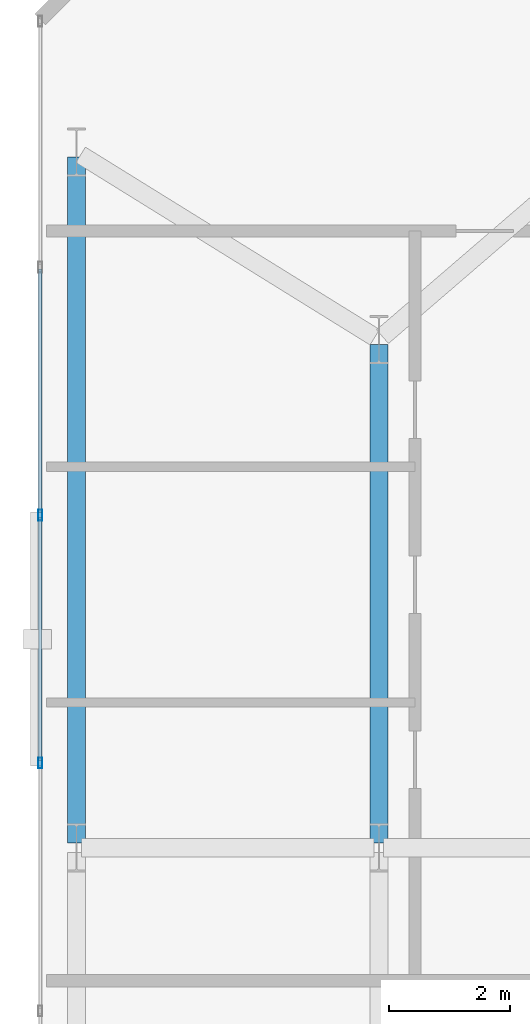
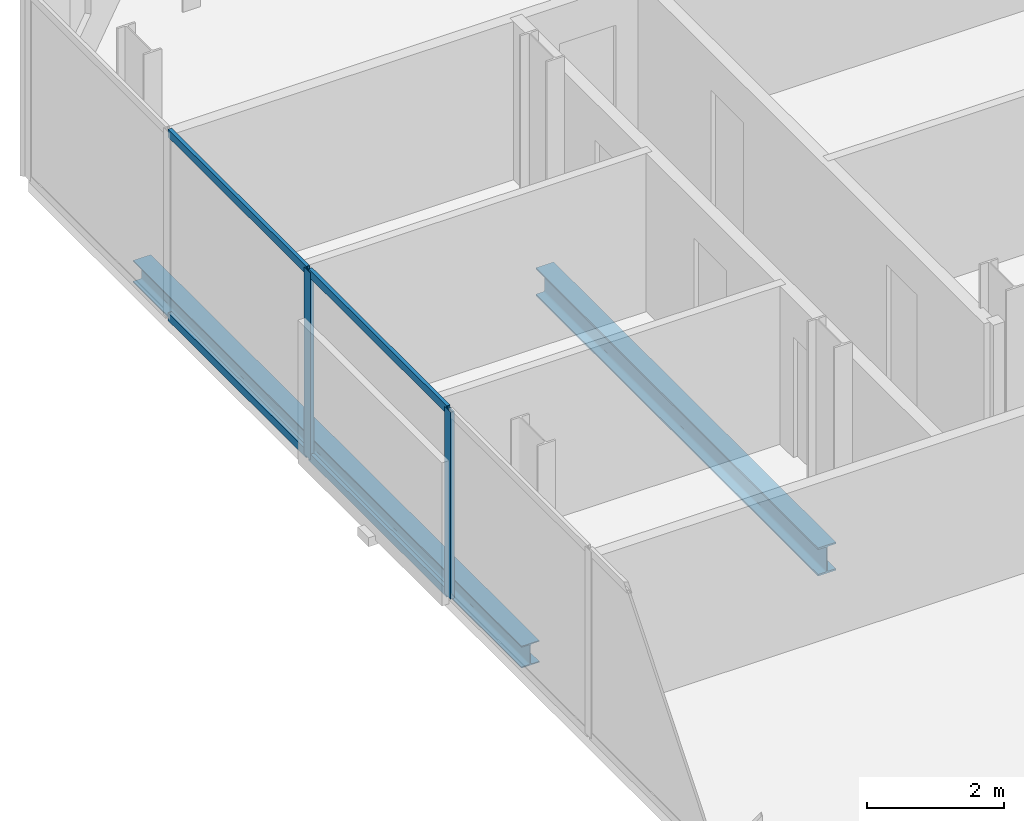
# One storey, part 18 of 33: 6 members, 2 beams, 1 element without a shape of its own.
"""IFC4 building model written with IfcOpenShell, lengths in metres."""

from ifc_helpers import new_model, si_unit, direction, frame, origin, origin_2d, place, context, subcontext, project, spatial, hollow_rectangle, i_section, extrude, material, layer, layer_set, material_profile, profile_set, type_object, element, aggregate, save


model = new_model("IFC4")

# Units and contexts
model_context = context("Model", 3, precision=1e-05, world=origin(), true_north=direction((0.0, 1.0)))
body_context = subcontext(model_context, "Body", "Model", "MODEL_VIEW")
ifc_project = project(units=[si_unit("LENGTHUNIT", "METRE"), si_unit("AREAUNIT", "SQUARE_METRE"), si_unit("VOLUMEUNIT", "CUBIC_METRE"), si_unit("PLANEANGLEUNIT", "RADIAN"), si_unit("MASSUNIT", "GRAM", prefix="KILO")], contexts=[model_context])

# Site, building, storey
site_placement = place(None, origin())
site = spatial("IfcSite", under=ifc_project, at=site_placement, CompositionType="ELEMENT")
building_placement = place(site_placement, origin())
building = spatial("IfcBuilding", under=site, at=building_placement, Name="Catumbela Crestline Tower", CompositionType="ELEMENT")
storey_placement = place(building_placement, frame((0.0, 0.0, 58.2)))
storey = spatial("IfcBuildingStorey", under=building, at=storey_placement, Name="L14", CompositionType="ELEMENT", Elevation=58.2)

# Beam
ifc_material_1 = material(Name="Structural steel S355J2", Category="steel")
ifc_material_profile_1 = material_profile(ifc_material_1, i_section(OverallWidth=0.3, OverallDepth=0.5, WebThickness=0.0145, FlangeThickness=0.028, FilletRadius=0.027, at=origin_2d()), Name="HEB 500")
ifc_profile_set_1 = profile_set([ifc_material_profile_1], Name="Structural steel S355J2")
beam_type_1 = type_object("IfcBeamType", Name="BG-HEB500", PredefinedType="BEAM", material=ifc_profile_set_1)
beam_1_placement = place(storey_placement, frame((5.6, 30.88, -0.51), z_axis=(0.0, 1.0, 0.0), x_axis=(-1.0, 0.0, 0.0)))
element("IfcBeam", 1, at=beam_1_placement, inside=storey, type_object=beam_type_1, Name="L14 Beam BM-L14-SN28", PredefinedType="BEAM", context=body_context, shape_type="SweptSolid", body=[
    extrude(i_section(OverallWidth=0.3, OverallDepth=0.5, WebThickness=0.0145, FlangeThickness=0.028, FilletRadius=0.027, at=origin_2d()), origin(), (0.0, 0.0, 1.0), 8.24),
])

# Curtain wall, members
ifc_material_2 = material(Name="Aluminium alloy AW-6060-T66", Category="aluminium")
ifc_layer = layer(ifc_material_2, 0.18, Name="Aluminium alloy AW-6060-T66")
ifc_layer_set = layer_set([ifc_layer], Name="Aluminium alloy AW-6060-T66")
curtain_wall_type = type_object("IfcCurtainWallType", Name="CWU-Z1", PredefinedType="USERDEFINED", material=ifc_layer_set)
curtain_wall_placement = place(storey_placement, origin())
curtain_wall = element("IfcCurtainWall", 2, at=curtain_wall_placement, inside=storey, type_object=curtain_wall_type, Name="L14 Unitised Curtain Wall CW-L14-E9S1", ObjectType="UNITISED", PredefinedType="USERDEFINED")
ifc_material_profile_2 = material_profile(ifc_material_2, hollow_rectangle(XDim=0.065, YDim=0.18, WallThickness=0.004, at=origin_2d()), Name="ALU 180x65x4")
ifc_profile_set_2 = profile_set([ifc_material_profile_2], Name="Aluminium alloy AW-6060-T66")
member_type_1 = type_object("IfcMemberType", Name="MUL-180X65", PredefinedType="MULLION", material=ifc_profile_set_2)
member_1_placement = place(storey_placement, frame((0.0, 36.3, 0.0), z_axis=(0.0, 0.0, 1.0), x_axis=(1.0, 0.0, 0.0)))
member_1 = element("IfcMember", 3, at=member_1_placement, type_object=member_type_1, Name="CWU-Z1 mullion 3", PredefinedType="MULLION", context=body_context, shape_type="SweptSolid", body=[
    extrude(hollow_rectangle(XDim=0.065, YDim=0.18, WallThickness=0.004, at=origin_2d()), origin(), (0.0, 0.0, 1.0), 3.33),
])
member_2_placement = place(storey_placement, frame((0.0, 32.2, 0.0), z_axis=(0.0, 0.0, 1.0), x_axis=(1.0, 0.0, 0.0)))
member_2 = element("IfcMember", 4, at=member_2_placement, type_object=member_type_1, Name="CWU-Z1 mullion 4", PredefinedType="MULLION", context=body_context, shape_type="SweptSolid", body=[
    extrude(hollow_rectangle(XDim=0.065, YDim=0.18, WallThickness=0.004, at=origin_2d()), origin(), (0.0, 0.0, 1.0), 3.33),
])

# Beam
ifc_material_profile_3 = material_profile(ifc_material_1, i_section(OverallWidth=0.3, OverallDepth=0.39, WebThickness=0.011, FlangeThickness=0.019, FilletRadius=0.027, at=origin_2d()), Name="HEA 400")
ifc_profile_set_3 = profile_set([ifc_material_profile_3], Name="Structural steel S355J2")
beam_type_2 = type_object("IfcBeamType", Name="BS-HEA400", PredefinedType="SPANDREL", material=ifc_profile_set_3)
beam_2_placement = place(storey_placement, frame((0.6, 30.88, -0.455), z_axis=(0.0, 1.0, 0.0), x_axis=(-1.0, 0.0, 0.0)))
element("IfcBeam", 5, at=beam_2_placement, inside=storey, type_object=beam_type_2, Name="L14 Spandrel SP-L14-SN26", PredefinedType="SPANDREL", context=body_context, shape_type="SweptSolid", body=[
    extrude(i_section(OverallWidth=0.3, OverallDepth=0.39, WebThickness=0.011, FlangeThickness=0.019, FilletRadius=0.027, at=origin_2d()), origin(), (0.0, 0.0, 1.0), 11.34),
])

# Member
ifc_material_profile_4 = material_profile(ifc_material_2, hollow_rectangle(XDim=0.06, YDim=0.14, WallThickness=0.004, at=origin_2d()), Name="ALU 140x60x4")
ifc_profile_set_4 = profile_set([ifc_material_profile_4], Name="Aluminium alloy AW-6060-T66")
member_type_2 = type_object("IfcMemberType", Name="TRN-140X60", PredefinedType="USERDEFINED", material=ifc_profile_set_4)
member_3_placement = place(storey_placement, frame((0.0, 40.3675, 0.03), z_axis=(0.0, -1.0, 0.0), x_axis=(1.0, 0.0, 0.0)))
member_3 = element("IfcMember", 6, at=member_3_placement, type_object=member_type_2, Name="CWU-Z1 transom 2.1", ObjectType="TRANSOM", PredefinedType="USERDEFINED", context=body_context, shape_type="SweptSolid", body=[
    extrude(hollow_rectangle(XDim=0.06, YDim=0.14, WallThickness=0.004, at=origin_2d()), origin(), (0.0, 0.0, 1.0), 4.035),
])

member_4_placement = place(storey_placement, frame((0.0, 40.3675, 3.3), z_axis=(0.0, -1.0, 0.0), x_axis=(1.0, 0.0, 0.0)))
member_4 = element("IfcMember", 7, at=member_4_placement, type_object=member_type_2, Name="CWU-Z1 transom 2.2", ObjectType="TRANSOM", PredefinedType="USERDEFINED", context=body_context, shape_type="SweptSolid", body=[
    extrude(hollow_rectangle(XDim=0.06, YDim=0.14, WallThickness=0.004, at=origin_2d()), origin(), (0.0, 0.0, 1.0), 4.035),
])

member_5_placement = place(storey_placement, frame((0.0, 36.2675, 0.03), z_axis=(0.0, -1.0, 0.0), x_axis=(1.0, 0.0, 0.0)))
member_5 = element("IfcMember", 8, at=member_5_placement, type_object=member_type_2, Name="CWU-Z1 transom 3.1", ObjectType="TRANSOM", PredefinedType="USERDEFINED", context=body_context, shape_type="SweptSolid", body=[
    extrude(hollow_rectangle(XDim=0.06, YDim=0.14, WallThickness=0.004, at=origin_2d()), origin(), (0.0, 0.0, 1.0), 4.035),
])

member_6_placement = place(storey_placement, frame((0.0, 36.2675, 3.3), z_axis=(0.0, -1.0, 0.0), x_axis=(1.0, 0.0, 0.0)))
member_6 = element("IfcMember", 9, at=member_6_placement, type_object=member_type_2, Name="CWU-Z1 transom 3.2", ObjectType="TRANSOM", PredefinedType="USERDEFINED", context=body_context, shape_type="SweptSolid", body=[
    extrude(hollow_rectangle(XDim=0.06, YDim=0.14, WallThickness=0.004, at=origin_2d()), origin(), (0.0, 0.0, 1.0), 4.035),
])

aggregate(curtain_wall, [member_1, member_2, member_3, member_4, member_5, member_6])

save(model, "model.ifc")
